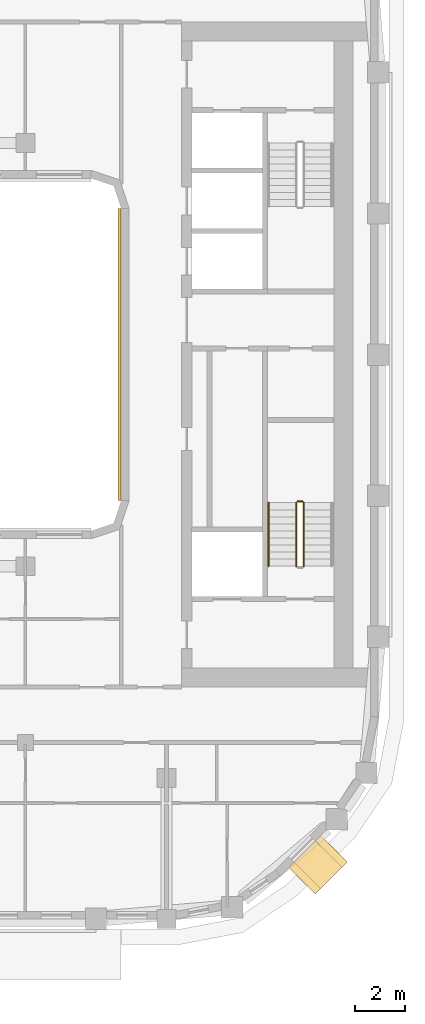
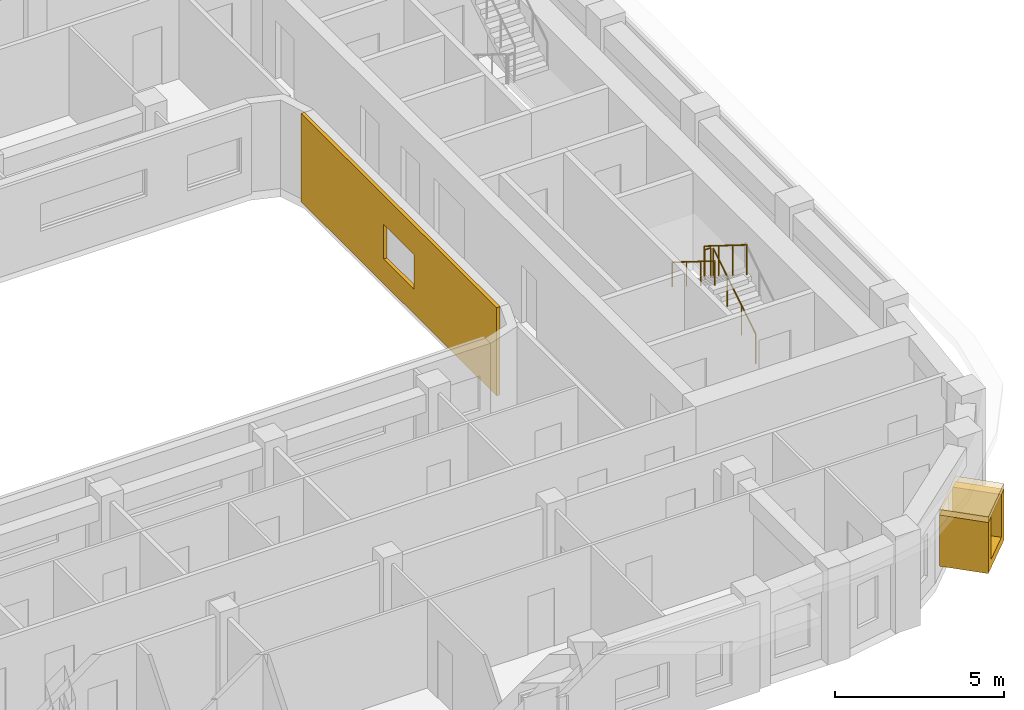
# One storey, part 16 of 21: 4 railings, 3 coverings.
"""IFC4 building model written with IfcOpenShell, lengths in metres."""

from ifc_helpers import new_model, si_unit, direction, frame, origin, origin_2d, place, context, subcontext, project, spatial, polyline, rectangle, circle, outline, extrude, material, layer, layer_set, type_object, element, save


model = new_model("IFC4")

# Units and contexts
model_context = context("Model", 3, precision=1e-05, world=origin(), true_north=direction((0.0, 1.0)))
body_context = subcontext(model_context, "Body", "Model", "MODEL_VIEW")
ifc_project = project(units=[si_unit("LENGTHUNIT", "METRE"), si_unit("AREAUNIT", "SQUARE_METRE"), si_unit("VOLUMEUNIT", "CUBIC_METRE"), si_unit("PLANEANGLEUNIT", "RADIAN"), si_unit("MASSUNIT", "GRAM", prefix="KILO")], contexts=[model_context])

# Site, building, storey
site_placement = place(None, origin())
site = spatial("IfcSite", under=ifc_project, at=site_placement, CompositionType="ELEMENT")
building_placement = place(site_placement, origin())
building = spatial("IfcBuilding", under=site, at=building_placement, Name="Kiln Ring Residences", CompositionType="ELEMENT")
storey_placement = place(building_placement, frame((0.0, 0.0, 223.89990234375)))
storey = spatial("IfcBuildingStorey", under=building, at=storey_placement, Name="L58", CompositionType="ELEMENT", Elevation=223.89990234375)

# Railings
ifc_material_1 = material(Name="Stainless steel", Category="steel")
railing_type_1 = type_object("IfcRailingType", Name="CORE-STAIR-GUARD", PredefinedType="GUARDRAIL", material=ifc_material_1)
railing_1_placement = place(storey_placement, frame((22.25, -8.39990234375, 0.175048828125)))
element("IfcRailing", 1, at=railing_1_placement, inside=storey, type_object=railing_type_1, Name="L58 E-STS stair guard 1", PredefinedType="GUARDRAIL", context=body_context, shape_type="SweptSolid", body=[
    extrude(circle(Radius=0.02392578125, at=origin_2d()), frame((0.0, 0.0, 1.076171875), z_axis=(0.0, 0.848007534815, 0.529984170421), x_axis=(-1.0, 0.0, 0.0)), (0.0, 0.0, 1.0), 2.9716796875),
    extrude(circle(Radius=0.02099609375, at=origin_2d()), origin(), (0.0, 0.0, 1.0), 1.052001953125),
    extrude(circle(Radius=0.02099609375, at=origin_2d()), frame((0.0, 0.840087890625, 0.52490234375)), (0.0, 0.0, 1.0), 1.052001953125),
    extrude(circle(Radius=0.02099609375, at=origin_2d()), frame((0.0, 1.679931640625, 1.050048828125)), (0.0, 0.0, 1.0), 1.052001953125),
    extrude(circle(Radius=0.02099609375, at=origin_2d()), frame((0.0, 2.52001953125, 1.574951171875)), (0.0, 0.0, 1.0), 1.052001953125),
])
railing_2_placement = place(storey_placement, frame((22.199951171875, -5.830078125, 1.75)))
element("IfcRailing", 2, at=railing_2_placement, inside=storey, type_object=railing_type_1, Name="L58 E-STS stair guard 2", PredefinedType="GUARDRAIL", context=body_context, shape_type="SweptSolid", body=[
    extrude(circle(Radius=0.02392578125, at=origin_2d()), frame((0.0, 0.0, 1.076171875), z_axis=(-1.0, 0.0, 0.0), x_axis=(0.0, -1.0, 0.0)), (0.0, 0.0, 1.0), 0.199951171875),
    extrude(circle(Radius=0.02099609375, at=origin_2d()), origin(), (0.0, 0.0, 1.0), 1.052001953125),
    extrude(circle(Radius=0.02099609375, at=origin_2d()), frame((-0.199951171875, 0.0, 0.0)), (0.0, 0.0, 1.0), 1.052001953125),
])
railing_3_placement = place(storey_placement, frame((21.949951171875, -5.8798828125, 1.925048828125)))
element("IfcRailing", 3, at=railing_3_placement, inside=storey, type_object=railing_type_1, Name="L58 E-STS stair guard 3", PredefinedType="GUARDRAIL", context=body_context, shape_type="SweptSolid", body=[
    extrude(circle(Radius=0.02392578125, at=origin_2d()), frame((0.0, 0.0, 1.076171875), z_axis=(0.0, -0.848007534815, 0.529984170421), x_axis=(1.0, 0.0, 0.0)), (0.0, 0.0, 1.0), 2.9716796875),
    extrude(circle(Radius=0.02099609375, at=origin_2d()), origin(), (0.0, 0.0, 1.0), 1.052001953125),
    extrude(circle(Radius=0.02099609375, at=origin_2d()), frame((0.0, -0.840087890625, 0.52490234375)), (0.0, 0.0, 1.0), 1.052001953125),
    extrude(circle(Radius=0.02099609375, at=origin_2d()), frame((0.0, -1.679931640625, 1.050048828125)), (0.0, 0.0, 1.0), 1.052001953125),
    extrude(circle(Radius=0.02099609375, at=origin_2d()), frame((0.0, -2.52001953125, 1.574951171875)), (0.0, 0.0, 1.0), 1.052001953125),
])
ifc_material_2 = material(Name="Stainless steel", Category="steel")
railing_type_2 = type_object("IfcRailingType", Name="CORE-STAIR-HANDRAIL", PredefinedType="HANDRAIL", material=ifc_material_2)
railing_4_placement = place(storey_placement, frame((20.85009765625, -5.8798828125, 1.925048828125)))
element("IfcRailing", 4, at=railing_4_placement, inside=storey, type_object=railing_type_2, Name="L58 E-STS stair handrail 2", PredefinedType="HANDRAIL", context=body_context, shape_type="SweptSolid", body=[
    extrude(circle(Radius=0.02392578125, at=origin_2d()), frame((0.0, 0.0, 0.8759765625), z_axis=(0.0, -0.848007534815, 0.529984170421), x_axis=(1.0, 0.0, 0.0)), (0.0, 0.0, 1.0), 2.9716796875),
    extrude(circle(Radius=0.02099609375, at=origin_2d()), origin(), (0.0, 0.0, 1.0), 0.851806640625),
    extrude(circle(Radius=0.02099609375, at=origin_2d()), frame((0.0, -0.840087890625, 0.52490234375)), (0.0, 0.0, 1.0), 0.851806640625),
    extrude(circle(Radius=0.02099609375, at=origin_2d()), frame((0.0, -1.679931640625, 1.050048828125)), (0.0, 0.0, 1.0), 0.851806640625),
    extrude(circle(Radius=0.02099609375, at=origin_2d()), frame((0.0, -2.52001953125, 1.574951171875)), (0.0, 0.0, 1.0), 0.851806640625),
])

# Coverings
ifc_material_3 = material(Name="Brick masonry, dark clay brick", Category="masonry")
ifc_layer_1 = layer(ifc_material_3, 0.300048828125)
ifc_layer_set_1 = layer_set([ifc_layer_1], Name="FRAME CHEEKS AND SILL 1500")
covering_type_1 = type_object("IfcCoveringType", Name="FRAME CHEEKS AND SILL 1500", PredefinedType="CLADDING", material=ifc_layer_set_1)
covering_1_placement = place(storey_placement, frame((22.172119140625, -20.888671875, 0.300048828125), z_axis=(0.0, 0.0, 1.0), x_axis=(0.707038962956, 0.707174592913, 0.0)))
element("IfcCovering", 5, at=covering_1_placement, inside=storey, type_object=covering_type_1, Name="FRAME L58", PredefinedType="CLADDING", context=body_context, shape_type="SweptSolid", body=[
    extrude(outline(polyline([(0.0, 0.0), (1.800048828125, 0.0), (1.800048828125, 1.85009765625), (1.5009765625, 1.85009765625), (1.5, 0.300048828125), (0.300048828125, 0.300048828125), (0.299072265625, 1.85009765625), (0.0, 1.85009765625), (0.0, 0.0)])), frame((0.0, 0.75, 0.0), z_axis=(0.0, -1.0, 0.0), x_axis=(1.0, 0.0, 0.0)), (0.0, 0.0, 1.0), 1.5),
])
ifc_material_4 = material(Name="Brick masonry, dark clay brick", Category="masonry")
ifc_layer_2 = layer(ifc_material_4, 0.199951171875)
ifc_layer_set_2 = layer_set([ifc_layer_2], Name="FRAME HEAD 1500")
covering_type_2 = type_object("IfcCoveringType", Name="FRAME HEAD 1500", PredefinedType="CLADDING", material=ifc_layer_set_2)
covering_2_placement = place(storey_placement, frame((22.80859375, -20.252197265625, 2.14990234375), z_axis=(0.0, 0.0, 1.0), x_axis=(0.707106781187, 0.707106781187, 0.0)))
element("IfcCovering", 6, at=covering_2_placement, inside=storey, type_object=covering_type_2, Name="FRAME HEAD L58", PredefinedType="CLADDING", context=body_context, shape_type="SweptSolid", body=[
    extrude(rectangle(XDim=1.800048828125, YDim=1.5, at=origin_2d()), origin(), (0.0, 0.0, 1.0), 0.199951171875),
])
ifc_material_5 = material(Name="Brick masonry, dark clay brick", Category="masonry")
ifc_layer_3 = layer(ifc_material_5, 0.1201171875)
ifc_layer_set_3 = layer_set([ifc_layer_3], Name="RAINSCREEN PANEL 120")
covering_type_3 = type_object("IfcCoveringType", Name="RAINSCREEN PANEL 120", PredefinedType="CLADDING", material=ifc_layer_set_3)
covering_3_placement = place(storey_placement, frame((14.93994140625, 5.800048828125, 0.0), z_axis=(0.0, 0.0, 1.0), x_axis=(0.0, -1.0, 0.0)))
element("IfcCovering", 7, at=covering_3_placement, inside=storey, type_object=covering_type_3, Name="RAINSCREEN L58", PredefinedType="CLADDING", context=body_context, shape_type="SweptSolid", body=[
    extrude(outline(polyline([(0.0, 0.0), (11.60009765625, 0.0), (11.60009765625, 3.2001953125), (0.0, 3.2001953125), (0.0, 0.0)]), holes=[polyline([(4.89990234375, 2.150146484375), (4.89990234375, 0.900146484375), (6.699951171875, 0.900146484375), (6.699951171875, 2.150146484375), (4.89990234375, 2.150146484375)])]), frame((0.0, 0.06005859375, 0.0), z_axis=(0.0, -1.0, 0.0), x_axis=(1.0, 0.0, 0.0)), (0.0, 0.0, 1.0), 0.1201171875),
])

save(model, "model.ifc")
